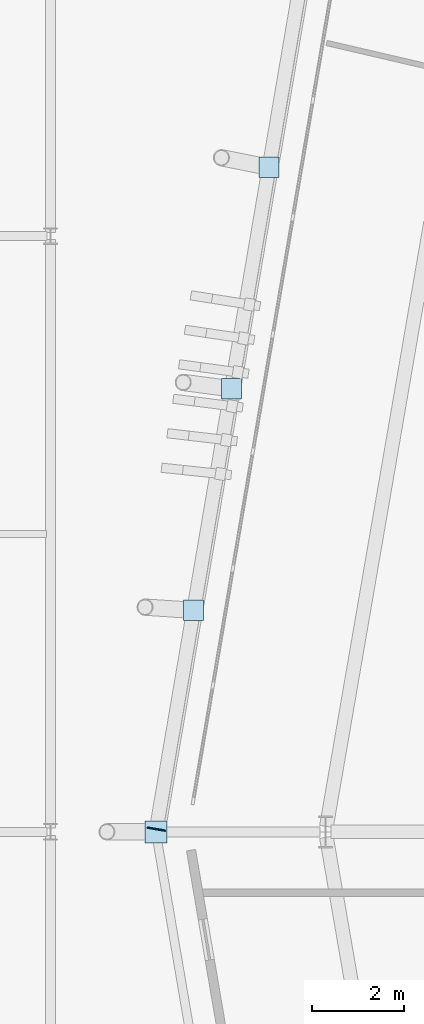
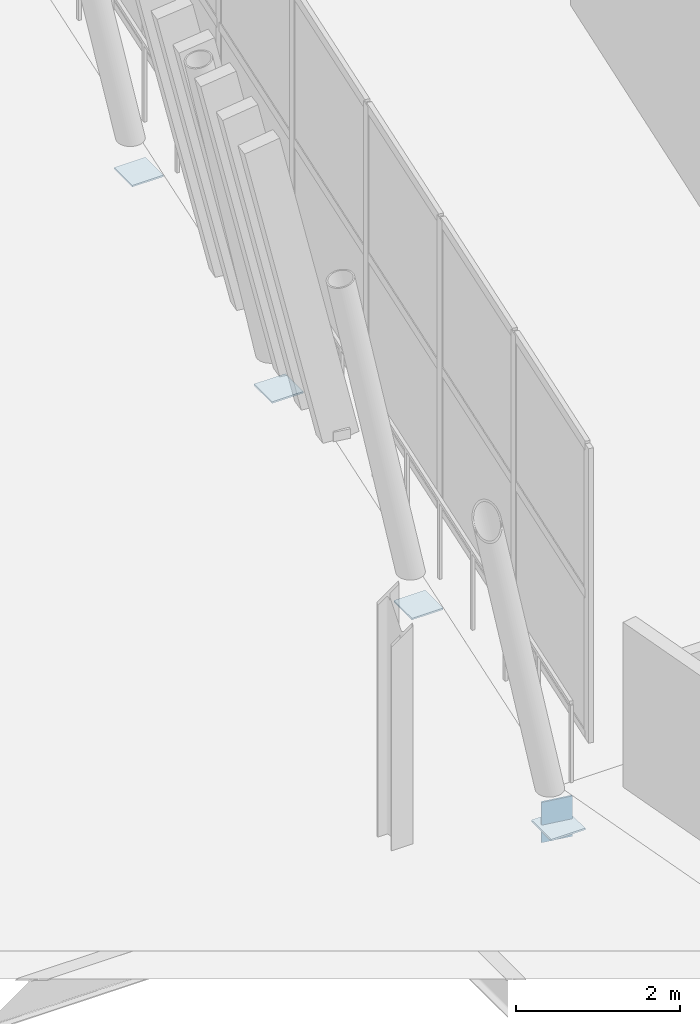
# One storey, part 98 of 168: 5 plates.
"""IFC4 building model written with IfcOpenShell, lengths in metres."""

from ifc_helpers import new_model, si_unit, direction, frame, origin, origin_2d, place, context, subcontext, project, spatial, rectangle, extrude, material, layer, layer_set, type_object, element, save


model = new_model("IFC4")

# Units and contexts
model_context = context("Model", 3, precision=1e-05, world=origin(), true_north=direction((0.0, 1.0)))
body_context = subcontext(model_context, "Body", "Model", "MODEL_VIEW")
ifc_project = project(units=[si_unit("LENGTHUNIT", "METRE"), si_unit("AREAUNIT", "SQUARE_METRE"), si_unit("VOLUMEUNIT", "CUBIC_METRE"), si_unit("PLANEANGLEUNIT", "RADIAN"), si_unit("MASSUNIT", "GRAM", prefix="KILO")], contexts=[model_context])

# Site, building, storey
site_placement = place(None, origin())
site = spatial("IfcSite", under=ifc_project, at=site_placement, CompositionType="ELEMENT")
building_placement = place(site_placement, origin())
building = spatial("IfcBuilding", under=site, at=building_placement, Name="Zlatoyarsky Gate Stadium", CompositionType="ELEMENT")
storey_placement = place(building_placement, frame((0.0, 0.0, 15.60009765625)))
storey = spatial("IfcBuildingStorey", under=building, at=storey_placement, Name="L03", CompositionType="ELEMENT", Elevation=15.60009765625)

# Plates
ifc_material = material(Name="Steel S355", Category="steel")
ifc_layer = layer(ifc_material, 0.02392578125)
ifc_layer_set = layer_set([ifc_layer], Name="Steel S355")
plate_type = type_object("IfcPlateType", Name="STEEL HOLLOW CHORD SPLICE SHEET 24", PredefinedType="SHEET", material=ifc_layer_set)
plate_1_placement = place(storey_placement, frame((14.307861328125, 80.05908203125, -0.830078125), z_axis=(0.0, 0.0, 1.0), x_axis=(-0.167999444579, -0.985787089904, 0.0)))
element("IfcPlate", 1, at=plate_1_placement, inside=storey, type_object=plate_type, Name="Hollow end cap ND-SP1 CAP-L03-SPD-11 B", PredefinedType="SHEET", context=body_context, shape_type="SweptSolid", body=[
    extrude(rectangle(XDim=0.02392578125, YDim=0.39990234375, at=origin_2d()), origin(), (0.0, 0.0, 1.0), 0.60009765625),
])
plate_2_placement = place(storey_placement, frame((14.2978515625, 80.0, -0.592041015625), z_axis=(0.0, 0.0, 1.0), x_axis=(1.0, 0.0, 0.0)))
element("IfcPlate", 2, at=plate_2_placement, inside=storey, type_object=plate_type, Name="Node closure plate ND-SP1 NCAP-L03-RSTR-12", PredefinedType="SHEET", context=body_context, shape_type="SweptSolid", body=[
    extrude(rectangle(XDim=0.47998046875, YDim=0.47998046875, at=origin_2d()), origin(), (0.0, 0.0, 1.0), 0.02392578125),
])
for number, where, z_axis, x_axis, name in (
    (3, (16.76904296875, 94.500732421875, -0.5419921875), (0.0, 0.0, 1.0), (1.0, 0.0, 0.0), "Node closure plate ND-SP1 NCAP-RIB-11-1-1T"),
    (4, (15.9453125, 89.667236328125, -0.5419921875), (0.0, 0.0, 1.0), (1.0, 0.0, 0.0), "Node closure plate ND-SP1 NCAP-RIB-11-2-1T"),
    (5, (15.12158203125, 84.83349609375, -0.5419921875), (0.0, 0.0, 1.0), (1.0, 0.0, 0.0), "Node closure plate ND-SP1 NCAP-RIB-11-3-1T"),
):
    element("IfcPlate", number, at=place(storey_placement, frame(where, z_axis=z_axis, x_axis=x_axis)), inside=storey, type_object=plate_type, Name=name, PredefinedType="SHEET", context=body_context, shape_type="SweptSolid", body=[
        extrude(rectangle(XDim=0.43994140625, YDim=0.43994140625, at=origin_2d()), origin(), (0.0, 0.0, 1.0), 0.02392578125),
    ])

save(model, "model.ifc")
